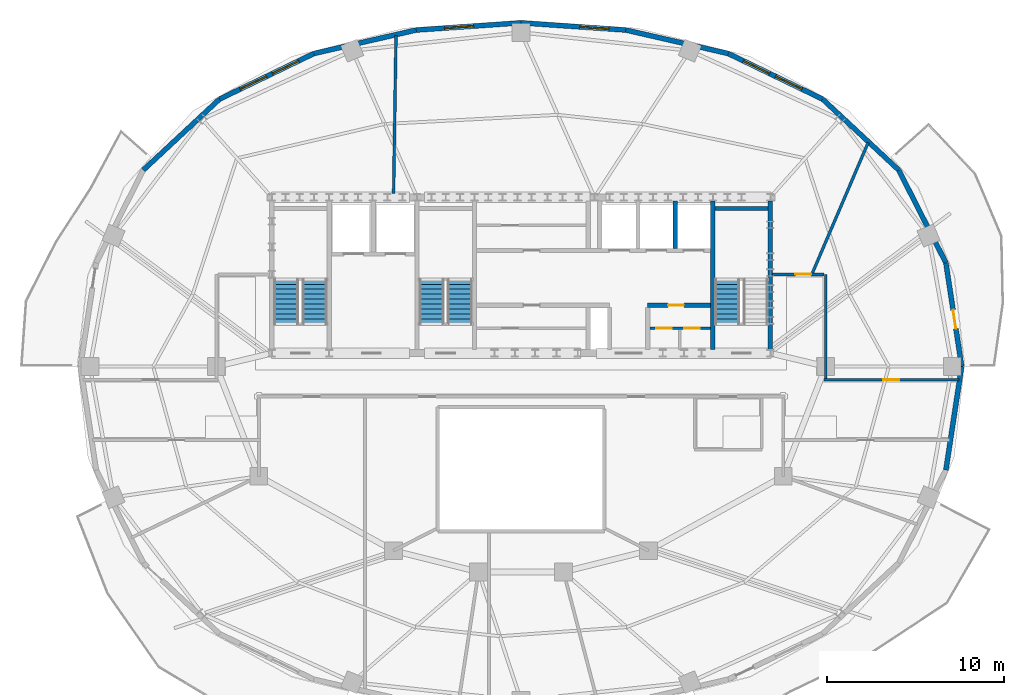
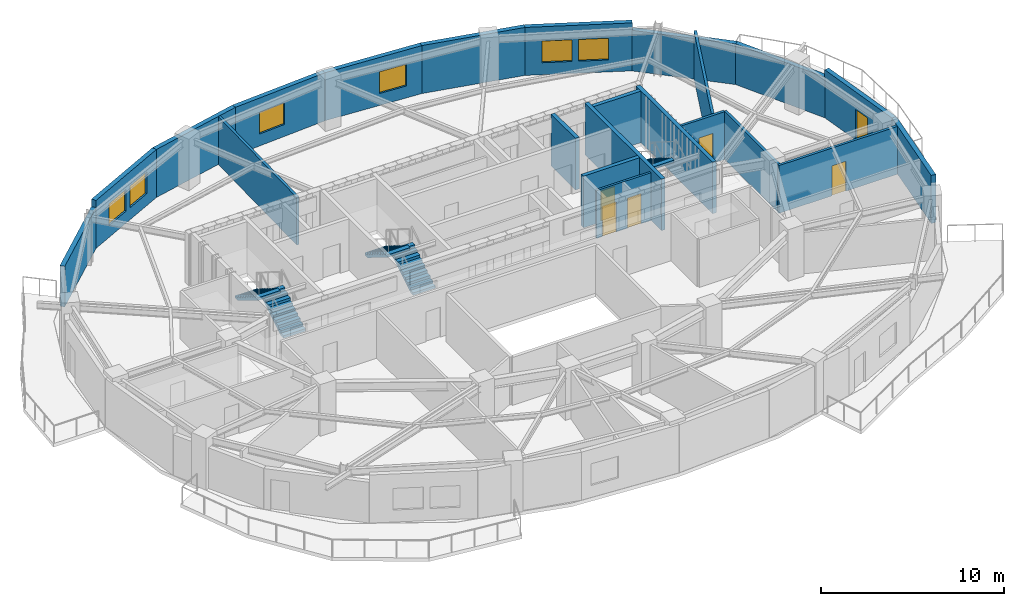
# One storey, part 5 of 10: 22 walls, 6 doors, 6 windows, 5 stair flights, 12 openings, 3 elements without a shape of their own.
"""IFC4 building model written with IfcOpenShell, lengths in metres."""

from ifc_helpers import new_model, si_unit, direction, frame, frame_2d, origin, place, context, subcontext, project, spatial, polyline, rectangle, outline, extrude, material, layer, layer_set, type_object, element, fill, aggregate, save


model = new_model("IFC4")

# Units and contexts
model_context = context("Model", 3, precision=1e-05, world=origin(), true_north=direction((0.0, 1.0)))
body_context = subcontext(model_context, "Body", "Model", "MODEL_VIEW")
ifc_project = project(units=[si_unit("LENGTHUNIT", "METRE"), si_unit("AREAUNIT", "SQUARE_METRE"), si_unit("VOLUMEUNIT", "CUBIC_METRE"), si_unit("PLANEANGLEUNIT", "RADIAN"), si_unit("MASSUNIT", "GRAM", prefix="KILO")], contexts=[model_context])

# Site, building, storey
site_placement = place(None, origin())
site = spatial("IfcSite", under=ifc_project, at=site_placement, CompositionType="ELEMENT")
building_placement = place(site_placement, origin())
building = spatial("IfcBuilding", under=site, at=building_placement, Name="Haldorwick Loom Tower", CompositionType="ELEMENT")
storey_placement = place(building_placement, frame((0.0, 0.0, 255.75)))
storey = spatial("IfcBuildingStorey", under=building, at=storey_placement, Name="L69", CompositionType="ELEMENT", Elevation=255.75)

# Wall, opening, door
ifc_material_1 = material(Name="Pressed Clay Face Brick and Insulated Masonry Backup Assembly", Category="masonry")
ifc_layer_1 = layer(ifc_material_1, 0.280029296875, Name="Pressed Clay Face Brick and Insulated Masonry Backup Assembly", Category="masonry")
ifc_layer_set_1 = layer_set([ifc_layer_1], Name="Pressed Clay Face Brick and Insulated Masonry Backup Assembly")
wall_type_1 = type_object("IfcWallType", Name="ARC-WL-EXT280", PredefinedType="STANDARD", material=ifc_layer_set_1)
wall_1_placement = place(storey_placement, frame((60.876708984375, 26.0, 0.0), z_axis=(0.0, 0.0, 1.0), x_axis=(-0.150497234153, 0.988610430105, 0.0)))
wall_1 = element("IfcWall", 1, at=wall_1_placement, inside=storey, type_object=wall_type_1, Name="L69 Brick Pier and Spandrel Wall 1", PredefinedType="STANDARD", context=body_context, shape_type="SweptSolid", body=[
    extrude(rectangle(XDim=5.916259765625, YDim=0.280029296875, at=frame_2d((2.9580078125, 0.0))), origin(), (0.0, 0.0, 1.0), 3.2099609375),
])
opening_1_placement = place(wall_1_placement, frame((2.147216796875, 0.0, 0.0)))
opening_1 = element("IfcOpeningElement", 2, at=opening_1_placement, cuts=wall_1, Name="Opening D-BL11", PredefinedType="OPENING", context=body_context, shape_type="SweptSolid", body=[
    extrude(rectangle(XDim=1.080078125, YDim=2.0400390625, at=frame_2d((0.5400390625, 1.02001953125))), frame((0.0, 0.14990234375, 0.0), z_axis=(0.0, -1.0, 0.0), x_axis=(1.0, 0.0, 0.0)), (0.0, 0.0, 1.0), 0.300048828125),
])
ifc_material_2 = material(Name="Thermally Broken Anodized Aluminium Curtain Wall Framing", Category="aluminium")
door_type_1 = type_object("IfcDoorType", Name="ARC-DR-BAL110", OperationType="NOTDEFINED", PredefinedType="DOOR", material=ifc_material_2)
door_1_placement = place(opening_1_placement, origin())
door_1 = element("IfcDoor", 3, at=door_1_placement, inside=storey, type_object=door_type_1, Name="L69 Outdoor Terrace Door SLB-L69-BAL_ENE", OperationType="SINGLE_SWING_RIGHT", OverallHeight=2.0400390625, OverallWidth=1.080078125, PredefinedType="DOOR", context=body_context, shape_type="SweptSolid", body=[
    extrude(rectangle(XDim=1.080078125, YDim=2.0400390625, at=frame_2d((0.5400390625, 1.02001953125))), frame((0.0, 0.02490234375, 0.0), z_axis=(0.0, -1.0, 0.0), x_axis=(1.0, 0.0, 0.0)), (0.0, 0.0, 1.0), 0.050048828125),
])
fill(opening_1, door_1)

# Walls
wall_2_placement = place(storey_placement, frame((59.986328125, 31.848876953125, 0.0), z_axis=(0.0, 0.0, 1.0), x_axis=(-0.453100705059, 0.89145933787, 0.0)))
element("IfcWall", 4, at=wall_2_placement, inside=storey, type_object=wall_type_1, Name="L69 Brick Pier and Spandrel Wall 2", PredefinedType="STANDARD", context=body_context, shape_type="SweptSolid", body=[
    extrude(rectangle(XDim=5.879150390625, YDim=0.280029296875, at=frame_2d((2.939453125, 0.0))), origin(), (0.0, 0.0, 1.0), 2.718994140625),
])
wall_3_placement = place(storey_placement, frame((57.322509765625, 37.08984375, 0.0), z_axis=(0.0, 0.0, 1.0), x_axis=(-0.731924682982, 0.68138554317, 0.0)))
element("IfcWall", 5, at=wall_3_placement, inside=storey, type_object=wall_type_1, Name="L69 Brick Pier and Spandrel Wall 3", PredefinedType="STANDARD", context=body_context, shape_type="SweptSolid", body=[
    extrude(rectangle(XDim=5.87890625, YDim=0.280029296875, at=frame_2d((2.939453125, 0.0))), origin(), (0.0, 0.0, 1.0), 2.718994140625),
])

# Wall, openings, windows
wall_4_placement = place(storey_placement, frame((53.01953125, 41.095703125, 0.0), z_axis=(0.0, 0.0, 1.0), x_axis=(-0.900481907967, 0.434893473651, 0.0)))
wall_4 = element("IfcWall", 6, at=wall_4_placement, inside=storey, type_object=wall_type_1, Name="L69 Brick Pier and Spandrel Wall 4", PredefinedType="STANDARD", context=body_context, shape_type="SweptSolid", body=[
    extrude(rectangle(XDim=5.90966796875, YDim=0.280029296875, at=frame_2d((2.954833984375, 0.0))), origin(), (0.0, 0.0, 1.0), 3.2099609375),
])
opening_2_placement = place(wall_4_placement, frame((1.29443359375, 0.0, 0.800048828125)))
opening_2 = element("IfcOpeningElement", 7, at=opening_2_placement, cuts=wall_4, Name="Opening W-01B", PredefinedType="OPENING", context=body_context, shape_type="SweptSolid", body=[
    extrude(rectangle(XDim=1.64990234375, YDim=1.449951171875, at=frame_2d((0.824951171875, 0.72509765625))), frame((0.0, 0.14990234375, 0.0), z_axis=(0.0, -1.0, 0.0), x_axis=(1.0, 0.0, 0.0)), (0.0, 0.0, 1.0), 0.300048828125),
])
opening_3_placement = place(wall_4_placement, frame((3.311767578125, 0.0, 0.800048828125)))
opening_3 = element("IfcOpeningElement", 8, at=opening_3_placement, cuts=wall_4, Name="Opening W-01B", PredefinedType="OPENING", context=body_context, shape_type="SweptSolid", body=[
    extrude(rectangle(XDim=1.64990234375, YDim=1.449951171875, at=frame_2d((0.824951171875, 0.72509765625))), frame((0.0, 0.14990234375, 0.0), z_axis=(0.0, -1.0, 0.0), x_axis=(1.0, 0.0, 0.0)), (0.0, 0.0, 1.0), 0.300048828125),
])
ifc_material_3 = material(Name="Triple-Glazed Low-E Argon Insulated Glazing Unit", Category="glass")
window_type = type_object("IfcWindowType", Name="ARC-WIN-W165", PartitioningType="SINGLE_PANEL", PredefinedType="WINDOW", material=ifc_material_3)
window_1_placement = place(opening_2_placement, origin())
window_1 = element("IfcWindow", 9, at=window_1_placement, inside=storey, type_object=window_type, Name="L69 Deep-Set Zone 7A Window 4", OverallHeight=1.449951171875, OverallWidth=1.64990234375, PartitioningType="SINGLE_PANEL", PredefinedType="WINDOW", context=body_context, shape_type="SweptSolid", body=[
    extrude(rectangle(XDim=1.64990234375, YDim=1.449951171875, at=frame_2d((0.824951171875, 0.72509765625))), frame((0.0, 0.030029296875, 0.0), z_axis=(0.0, -1.0, 0.0), x_axis=(1.0, 0.0, 0.0)), (0.0, 0.0, 1.0), 0.06005859375),
])
fill(opening_2, window_1)
window_2_placement = place(opening_3_placement, origin())
window_2 = element("IfcWindow", 10, at=window_2_placement, inside=storey, type_object=window_type, Name="L69 Deep-Set Zone 7A Window 4", OverallHeight=1.449951171875, OverallWidth=1.64990234375, PartitioningType="SINGLE_PANEL", PredefinedType="WINDOW", context=body_context, shape_type="SweptSolid", body=[
    extrude(rectangle(XDim=1.64990234375, YDim=1.449951171875, at=frame_2d((0.824951171875, 0.72509765625))), frame((0.0, 0.030029296875, 0.0), z_axis=(0.0, -1.0, 0.0), x_axis=(1.0, 0.0, 0.0)), (0.0, 0.0, 1.0), 0.06005859375),
])
fill(opening_3, window_2)

# Wall
wall_5_placement = place(storey_placement, frame((47.697998046875, 43.665771484375, 0.0), z_axis=(0.0, 0.0, 1.0), x_axis=(-0.974589984037, 0.223996345987, 0.0)))
element("IfcWall", 11, at=wall_5_placement, inside=storey, type_object=wall_type_1, Name="L69 Brick Pier and Spandrel Wall 5", PredefinedType="STANDARD", context=body_context, shape_type="SweptSolid", body=[
    extrude(rectangle(XDim=5.92919921875, YDim=0.280029296875, at=frame_2d((2.964599609375, 0.0))), origin(), (0.0, 0.0, 1.0), 3.2099609375),
])

# Wall, opening, window
wall_6_placement = place(storey_placement, frame((41.91943359375, 44.993896484375, 0.0), z_axis=(0.0, 0.0, 1.0), x_axis=(-0.997656066566, 0.068427865986, 0.0)))
wall_6 = element("IfcWall", 12, at=wall_6_placement, inside=storey, type_object=wall_type_1, Name="L69 Brick Pier and Spandrel Wall 6", PredefinedType="STANDARD", context=body_context, shape_type="SweptSolid", body=[
    extrude(rectangle(XDim=5.933349609375, YDim=0.280029296875, at=frame_2d((2.966796875, 0.0))), origin(), (0.0, 0.0, 1.0), 3.2099609375),
])
opening_4_placement = place(wall_6_placement, frame((0.955078125, 0.0, 0.800048828125)))
opening_4 = element("IfcOpeningElement", 13, at=opening_4_placement, cuts=wall_6, Name="Opening W-01B", PredefinedType="OPENING", context=body_context, shape_type="SweptSolid", body=[
    extrude(rectangle(XDim=1.64990234375, YDim=1.449951171875, at=frame_2d((0.824951171875, 0.72509765625))), frame((0.0, 0.14990234375, 0.0), z_axis=(0.0, -1.0, 0.0), x_axis=(1.0, 0.0, 0.0)), (0.0, 0.0, 1.0), 0.300048828125),
])
window_3_placement = place(opening_4_placement, origin())
window_3 = element("IfcWindow", 14, at=window_3_placement, inside=storey, type_object=window_type, Name="L69 Deep-Set Zone 7A Window 6", OverallHeight=1.449951171875, OverallWidth=1.64990234375, PartitioningType="SINGLE_PANEL", PredefinedType="WINDOW", context=body_context, shape_type="SweptSolid", body=[
    extrude(rectangle(XDim=1.64990234375, YDim=1.449951171875, at=frame_2d((0.824951171875, 0.72509765625))), frame((0.0, 0.030029296875, 0.0), z_axis=(0.0, -1.0, 0.0), x_axis=(1.0, 0.0, 0.0)), (0.0, 0.0, 1.0), 0.06005859375),
])
fill(opening_4, window_3)

wall_7_placement = place(storey_placement, frame((36.0, 45.39990234375, 0.0), z_axis=(0.0, 0.0, 1.0), x_axis=(-0.997656066566, -0.068427865986, 0.0)))
wall_7 = element("IfcWall", 15, at=wall_7_placement, inside=storey, type_object=wall_type_1, Name="L69 Brick Pier and Spandrel Wall 7", PredefinedType="STANDARD", context=body_context, shape_type="SweptSolid", body=[
    extrude(rectangle(XDim=5.933349609375, YDim=0.280029296875, at=frame_2d((2.966796875, 0.0))), origin(), (0.0, 0.0, 1.0), 3.2099609375),
])
opening_5_placement = place(wall_7_placement, frame((2.68212890625, 0.0, 0.800048828125)))
opening_5 = element("IfcOpeningElement", 16, at=opening_5_placement, cuts=wall_7, Name="Opening W-01B", PredefinedType="OPENING", context=body_context, shape_type="SweptSolid", body=[
    extrude(rectangle(XDim=1.64990234375, YDim=1.449951171875, at=frame_2d((0.824951171875, 0.72509765625))), frame((0.0, 0.14990234375, 0.0), z_axis=(0.0, -1.0, 0.0), x_axis=(1.0, 0.0, 0.0)), (0.0, 0.0, 1.0), 0.300048828125),
])
window_4_placement = place(opening_5_placement, origin())
window_4 = element("IfcWindow", 17, at=window_4_placement, inside=storey, type_object=window_type, Name="L69 Deep-Set Zone 7A Window 7", OverallHeight=1.449951171875, OverallWidth=1.64990234375, PartitioningType="SINGLE_PANEL", PredefinedType="WINDOW", context=body_context, shape_type="SweptSolid", body=[
    extrude(rectangle(XDim=1.64990234375, YDim=1.449951171875, at=frame_2d((0.824951171875, 0.72509765625))), frame((0.0, 0.030029296875, 0.0), z_axis=(0.0, -1.0, 0.0), x_axis=(1.0, 0.0, 0.0)), (0.0, 0.0, 1.0), 0.06005859375),
])
fill(opening_5, window_4)

# Wall
wall_8_placement = place(storey_placement, frame((30.08056640625, 44.993896484375, 0.0), z_axis=(0.0, 0.0, 1.0), x_axis=(-0.974589984037, -0.223996345987, 0.0)))
element("IfcWall", 18, at=wall_8_placement, inside=storey, type_object=wall_type_1, Name="L69 Brick Pier and Spandrel Wall 8", PredefinedType="STANDARD", context=body_context, shape_type="SweptSolid", body=[
    extrude(rectangle(XDim=5.92919921875, YDim=0.280029296875, at=frame_2d((2.964599609375, 0.0))), origin(), (0.0, 0.0, 1.0), 3.2099609375),
])

# Wall, openings, windows
wall_9_placement = place(storey_placement, frame((24.302001953125, 43.665771484375, 0.0), z_axis=(0.0, 0.0, 1.0), x_axis=(-0.900481907967, -0.434893473651, 0.0)))
wall_9 = element("IfcWall", 19, at=wall_9_placement, inside=storey, type_object=wall_type_1, Name="L69 Brick Pier and Spandrel Wall 9", PredefinedType="STANDARD", context=body_context, shape_type="SweptSolid", body=[
    extrude(rectangle(XDim=5.90966796875, YDim=0.280029296875, at=frame_2d((2.954833984375, 0.0))), origin(), (0.0, 0.0, 1.0), 3.2099609375),
])
opening_6_placement = place(wall_9_placement, frame((0.947998046875, 0.0, 0.800048828125)))
opening_6 = element("IfcOpeningElement", 20, at=opening_6_placement, cuts=wall_9, Name="Opening W-01B", PredefinedType="OPENING", context=body_context, shape_type="SweptSolid", body=[
    extrude(rectangle(XDim=1.64990234375, YDim=1.449951171875, at=frame_2d((0.824951171875, 0.72509765625))), frame((0.0, 0.14990234375, 0.0), z_axis=(0.0, -1.0, 0.0), x_axis=(1.0, 0.0, 0.0)), (0.0, 0.0, 1.0), 0.300048828125),
])
opening_7_placement = place(wall_9_placement, frame((2.965087890625, 0.0, 0.800048828125)))
opening_7 = element("IfcOpeningElement", 21, at=opening_7_placement, cuts=wall_9, Name="Opening W-01B", PredefinedType="OPENING", context=body_context, shape_type="SweptSolid", body=[
    extrude(rectangle(XDim=1.64990234375, YDim=1.449951171875, at=frame_2d((0.824951171875, 0.72509765625))), frame((0.0, 0.14990234375, 0.0), z_axis=(0.0, -1.0, 0.0), x_axis=(1.0, 0.0, 0.0)), (0.0, 0.0, 1.0), 0.300048828125),
])
window_5_placement = place(opening_6_placement, origin())
window_5 = element("IfcWindow", 22, at=window_5_placement, inside=storey, type_object=window_type, Name="L69 Deep-Set Zone 7A Window 9", OverallHeight=1.449951171875, OverallWidth=1.64990234375, PartitioningType="SINGLE_PANEL", PredefinedType="WINDOW", context=body_context, shape_type="SweptSolid", body=[
    extrude(rectangle(XDim=1.64990234375, YDim=1.449951171875, at=frame_2d((0.824951171875, 0.72509765625))), frame((0.0, 0.030029296875, 0.0), z_axis=(0.0, -1.0, 0.0), x_axis=(1.0, 0.0, 0.0)), (0.0, 0.0, 1.0), 0.06005859375),
])
fill(opening_6, window_5)
window_6_placement = place(opening_7_placement, origin())
window_6 = element("IfcWindow", 23, at=window_6_placement, inside=storey, type_object=window_type, Name="L69 Deep-Set Zone 7A Window 9", OverallHeight=1.449951171875, OverallWidth=1.64990234375, PartitioningType="SINGLE_PANEL", PredefinedType="WINDOW", context=body_context, shape_type="SweptSolid", body=[
    extrude(rectangle(XDim=1.64990234375, YDim=1.449951171875, at=frame_2d((0.824951171875, 0.72509765625))), frame((0.0, 0.030029296875, 0.0), z_axis=(0.0, -1.0, 0.0), x_axis=(1.0, 0.0, 0.0)), (0.0, 0.0, 1.0), 0.06005859375),
])
fill(opening_7, window_6)

# Walls
wall_10_placement = place(storey_placement, frame((18.98046875, 41.095703125, 0.0), z_axis=(0.0, 0.0, 1.0), x_axis=(-0.731924682982, -0.68138554317, 0.0)))
element("IfcWall", 24, at=wall_10_placement, inside=storey, type_object=wall_type_1, Name="L69 Brick Pier and Spandrel Wall 10", PredefinedType="STANDARD", context=body_context, shape_type="SweptSolid", body=[
    extrude(rectangle(XDim=5.87890625, YDim=0.280029296875, at=frame_2d((2.939453125, 0.0))), origin(), (0.0, 0.0, 1.0), 2.718994140625),
])
wall_11_placement = place(storey_placement, frame((59.986328125, 20.151123046875, 0.0), z_axis=(0.0, 0.0, 1.0), x_axis=(0.150497234153, 0.988610430105, 0.0)))
element("IfcWall", 25, at=wall_11_placement, inside=storey, type_object=wall_type_1, Name="L69 Brick Pier and Spandrel Wall 24", PredefinedType="STANDARD", context=body_context, shape_type="SweptSolid", body=[
    extrude(rectangle(XDim=5.916259765625, YDim=0.280029296875, at=frame_2d((2.9580078125, 0.0))), origin(), (0.0, 0.0, 1.0), 3.2099609375),
])

# Wall, opening, door
ifc_material_4 = material(Name="Fire-Rated Type X Gypsum Stud Assembly EI 60")
ifc_layer_2 = layer(ifc_material_4, 0.159912109375, Name="Fire-Rated Type X Gypsum Stud Assembly EI 60")
ifc_layer_set_2 = layer_set([ifc_layer_2], Name="Fire-Rated Type X Gypsum Stud Assembly EI 60")
wall_type_2 = type_object("IfcWallType", Name="ARC-WL-FIRE160", PredefinedType="PARTITIONING", material=ifc_layer_set_2)
wall_12_placement = place(storey_placement, frame((53.10009765625, 25.25, 0.0), z_axis=(0.0, 0.0, 1.0), x_axis=(1.0, 0.0, 0.0)))
wall_12 = element("IfcWall", 26, at=wall_12_placement, inside=storey, type_object=wall_type_2, Name="L69 Residential Fire Partition L69-CR-NEL", PredefinedType="PARTITIONING", context=body_context, shape_type="SweptSolid", body=[
    extrude(rectangle(XDim=7.616943359375, YDim=0.159912109375, at=frame_2d((3.80859375, 0.0))), origin(), (0.0, 0.0, 1.0), 3.195068359375),
])
opening_8_placement = place(wall_12_placement, frame((3.3583984375, 0.0, 0.0)))
opening_8 = element("IfcOpeningElement", 27, at=opening_8_placement, cuts=wall_12, Name="Opening D-FD60A", PredefinedType="OPENING", context=body_context, shape_type="SweptSolid", body=[
    extrude(rectangle(XDim=0.89990234375, YDim=2.0, at=frame_2d((0.449951171875, 1.0))), frame((0.0, 0.08984375, 0.0), z_axis=(0.0, -1.0, 0.0), x_axis=(1.0, 0.0, 0.0)), (0.0, 0.0, 1.0), 0.179931640625),
])
ifc_material_5 = material(Name="Hollow Steel Fire Door Assembly", Category="steel")
door_type_2 = type_object("IfcDoorType", Name="ARC-DR-FD60-90", OperationType="NOTDEFINED", PredefinedType="DOOR", material=ifc_material_5)
door_2_placement = place(opening_8_placement, frame((0.89990234375, 0.0, 0.0), z_axis=(0.0, 0.0, 1.0), x_axis=(-1.0, 0.0, 0.0)))
door_2 = element("IfcDoor", 28, at=door_2_placement, inside=storey, type_object=door_type_2, Name="L69 Tenant Seminar Meeting Room 3 to L69 Central Residential Corridor Do", OperationType="SINGLE_SWING_RIGHT", OverallHeight=2.0, OverallWidth=0.89990234375, PredefinedType="DOOR", context=body_context, shape_type="SweptSolid", body=[
    extrude(rectangle(XDim=0.89990234375, YDim=2.0, at=frame_2d((0.449951171875, 1.0))), frame((0.0, 0.02490234375, 0.0), z_axis=(0.0, -1.0, 0.0), x_axis=(1.0, 0.0, 0.0)), (0.0, 0.0, 1.0), 0.050048828125),
])
fill(opening_8, door_2)

# Wall
wall_13_placement = place(storey_placement, frame((53.199951171875, 25.3330078125, 0.0), z_axis=(0.0, 0.0, 1.0), x_axis=(0.0, 1.0, 0.0)))
element("IfcWall", 29, at=wall_13_placement, inside=storey, type_object=wall_type_2, Name="L69 Residential Fire Partition L69-CR-E0", PredefinedType="PARTITIONING", context=body_context, shape_type="SweptSolid", body=[
    extrude(rectangle(XDim=5.866943359375, YDim=0.159912109375, at=frame_2d((2.93359375, 0.0))), origin(), (0.0, 0.0, 1.0), 3.195068359375),
])

# Wall, opening, door
wall_14_placement = place(storey_placement, frame((50.193115234375, 31.199951171875, 0.0), z_axis=(0.0, 0.0, 1.0), x_axis=(1.0, 0.0, 0.0)))
wall_14 = element("IfcWall", 30, at=wall_14_placement, inside=storey, type_object=wall_type_2, Name="L69 Residential Fire Partition L69-CR-ENJ", PredefinedType="PARTITIONING", context=body_context, shape_type="SweptSolid", body=[
    extrude(rectangle(XDim=2.923828125, YDim=0.159912109375, at=frame_2d((1.4619140625, 0.0))), origin(), (0.0, 0.0, 1.0), 3.195068359375),
])
opening_9_placement = place(wall_14_placement, frame((1.29150390625, 0.0, 0.0)))
opening_9 = element("IfcOpeningElement", 31, at=opening_9_placement, cuts=wall_14, Name="Opening D-FD60A", PredefinedType="OPENING", context=body_context, shape_type="SweptSolid", body=[
    extrude(rectangle(XDim=0.89990234375, YDim=2.0, at=frame_2d((0.449951171875, 1.0))), frame((0.0, 0.08984375, 0.0), z_axis=(0.0, -1.0, 0.0), x_axis=(1.0, 0.0, 0.0)), (0.0, 0.0, 1.0), 0.179931640625),
])
door_3_placement = place(opening_9_placement, frame((0.89990234375, 0.0, 0.0), z_axis=(0.0, 0.0, 1.0), x_axis=(-1.0, 0.0, 0.0)))
door_3 = element("IfcDoor", 32, at=door_3_placement, inside=storey, type_object=door_type_2, Name="L69 Tenant Seminar Meeting Room 8 to L69 Central Residential Corridor Do", OperationType="SINGLE_SWING_LEFT", OverallHeight=2.0, OverallWidth=0.89990234375, PredefinedType="DOOR", context=body_context, shape_type="SweptSolid", body=[
    extrude(rectangle(XDim=0.89990234375, YDim=2.0, at=frame_2d((0.449951171875, 1.0))), frame((0.0, 0.02490234375, 0.0), z_axis=(0.0, -1.0, 0.0), x_axis=(1.0, 0.0, 0.0)), (0.0, 0.0, 1.0), 0.050048828125),
])
fill(opening_9, door_3)

# Walls
wall_15_placement = place(storey_placement, frame((28.8046875, 35.7529296875, 0.0), z_axis=(0.0, 0.0, 1.0), x_axis=(0.015248711969, 0.999883731632, 0.0)))
element("IfcWall", 33, at=wall_15_placement, inside=storey, type_object=wall_type_2, Name="L69 Residential Fire Partition L69-UPN-C3", PredefinedType="PARTITIONING", context=body_context, shape_type="SweptSolid", body=[
    extrude(rectangle(XDim=8.933837890625, YDim=0.159912109375, at=frame_2d((4.466796875, 0.0))), origin(), (0.0, 0.0, 1.0), 3.195068359375),
])
wall_16_placement = place(storey_placement, frame((55.5966796875, 38.63525390625, 0.0), z_axis=(0.0, 0.0, 1.0), x_axis=(-0.393134263541, -0.919481076929, 0.0)))
element("IfcWall", 34, at=wall_16_placement, inside=storey, type_object=wall_type_2, Name="L69 Suite Split Wall", PredefinedType="PARTITIONING", context=body_context, shape_type="SweptSolid", body=[
    extrude(rectangle(XDim=7.99609375, YDim=0.159912109375, at=frame_2d((3.998046875, 0.0))), origin(), (0.0, 0.0, 1.0), 3.195068359375),
])

# Wall, openings, doors
ifc_layer_3 = layer(ifc_material_4, 0.139892578125, Name="Fire-Rated Type X Gypsum Stud Assembly EI 60")
ifc_layer_set_3 = layer_set([ifc_layer_3], Name="Fire-Rated Type X Gypsum Stud Assembly EI 60")
wall_type_3 = type_object("IfcWallType", Name="ARC-WL-PART140", PredefinedType="PARTITIONING", material=ifc_layer_set_3)
wall_17_placement = place(storey_placement, frame((43.27294921875, 28.159912109375, 0.0), z_axis=(0.0, 0.0, 1.0), x_axis=(1.0, 0.0, 0.0)))
wall_17 = element("IfcWall", 35, at=wall_17_placement, inside=storey, type_object=wall_type_3, Name="L69 Telecom Partition", PredefinedType="PARTITIONING", context=body_context, shape_type="SweptSolid", body=[
    extrude(rectangle(XDim=3.43408203125, YDim=0.139892578125, at=frame_2d((1.717041015625, 0.0))), origin(), (0.0, 0.0, 1.0), 3.195068359375),
])
opening_10_placement = place(wall_17_placement, frame((0.366943359375, 0.0, 0.0)))
opening_10 = element("IfcOpeningElement", 36, at=opening_10_placement, cuts=wall_17, Name="Opening D-BT88", PredefinedType="OPENING", context=body_context, shape_type="SweptSolid", body=[
    extrude(rectangle(XDim=0.8798828125, YDim=2.02001953125, at=frame_2d((0.43994140625, 1.010009765625))), frame((0.0, 0.079833984375, 0.0), z_axis=(0.0, -1.0, 0.0), x_axis=(1.0, 0.0, 0.0)), (0.0, 0.0, 1.0), 0.159912109375),
])
opening_11_placement = place(wall_17_placement, frame((1.93701171875, 0.0, 0.0)))
opening_11 = element("IfcOpeningElement", 37, at=opening_11_placement, cuts=wall_17, Name="Opening D-BT88", PredefinedType="OPENING", context=body_context, shape_type="SweptSolid", body=[
    extrude(rectangle(XDim=0.8798828125, YDim=2.02001953125, at=frame_2d((0.43994140625, 1.010009765625))), frame((0.0, 0.079833984375, 0.0), z_axis=(0.0, -1.0, 0.0), x_axis=(1.0, 0.0, 0.0)), (0.0, 0.0, 1.0), 0.159912109375),
])
ifc_material_6 = material(Name="Solid Core Birch Architectural Door")
door_type_3 = type_object("IfcDoorType", Name="ARC-DR-BATH88", OperationType="NOTDEFINED", PredefinedType="DOOR", material=ifc_material_6)
door_4_placement = place(opening_10_placement, origin())
door_4 = element("IfcDoor", 38, at=door_4_placement, inside=storey, type_object=door_type_3, Name="L69 Telecom Room Door", OperationType="SINGLE_SWING_LEFT", OverallHeight=2.02001953125, OverallWidth=0.8798828125, PredefinedType="DOOR", context=body_context, shape_type="SweptSolid", body=[
    extrude(rectangle(XDim=0.8798828125, YDim=2.02001953125, at=frame_2d((0.43994140625, 1.010009765625))), frame((0.0, 0.02490234375, 0.0), z_axis=(0.0, -1.0, 0.0), x_axis=(1.0, 0.0, 0.0)), (0.0, 0.0, 1.0), 0.050048828125),
])
fill(opening_10, door_4)
door_5_placement = place(opening_11_placement, origin())
door_5 = element("IfcDoor", 39, at=door_5_placement, inside=storey, type_object=door_type_3, Name="L69 Metering Closet Door", OperationType="SINGLE_SWING_RIGHT", OverallHeight=2.02001953125, OverallWidth=0.8798828125, PredefinedType="DOOR", context=body_context, shape_type="SweptSolid", body=[
    extrude(rectangle(XDim=0.8798828125, YDim=2.02001953125, at=frame_2d((0.43994140625, 1.010009765625))), frame((0.0, 0.02490234375, 0.0), z_axis=(0.0, -1.0, 0.0), x_axis=(1.0, 0.0, 0.0)), (0.0, 0.0, 1.0), 0.050048828125),
])
fill(opening_11, door_5)

# Walls
ifc_material_7 = material(Name="Concrete C50 (50 MPa)", Category="concrete")
ifc_layer_4 = layer(ifc_material_7, 0.239990234375, Name="Concrete C50 (50 MPa)", Category="concrete")
ifc_layer_set_4 = layer_set([ifc_layer_4], Name="Concrete C50 (50 MPa)")
wall_type_4 = type_object("IfcWallType", Name="STR-WL-SHAFT240", PredefinedType="SHEAR", material=ifc_layer_set_4)
for number, where, z_axis, x_axis, name in (
    (40, (50.070068359375, 26.952880859375, 0.0), (0.0, 0.0, 1.0), (0.0, 1.0, 0.0), "L69 Core Shear Wall E"),
    (41, (46.830078125, 26.952880859375, 0.0), (0.0, 0.0, 1.0), (0.0, 1.0, 0.0), "L69 Core Shear Wall 4"),
):
    element("IfcWall", number, at=place(storey_placement, frame(where, z_axis=z_axis, x_axis=x_axis)), inside=storey, type_object=wall_type_4, Name=name, PredefinedType="SHEAR", context=body_context, shape_type="SweptSolid", body=[
        extrude(rectangle(XDim=8.39404296875, YDim=0.239990234375, at=frame_2d((4.197021484375, 0.0))), origin(), (0.0, 0.0, 1.0), 3.449951171875),
    ])
wall_18_placement = place(storey_placement, frame((46.952880859375, 34.919921875, 0.0), z_axis=(0.0, 0.0, 1.0), x_axis=(1.0, 0.0, 0.0)))
element("IfcWall", 42, at=wall_18_placement, inside=storey, type_object=wall_type_4, Name="L69 Core Shear Wall 4N", PredefinedType="SHEAR", context=body_context, shape_type="SweptSolid", body=[
    extrude(rectangle(XDim=2.994140625, YDim=0.239990234375, at=frame_2d((1.4970703125, 0.0))), origin(), (0.0, 0.0, 1.0), 3.449951171875),
])

# Wall, opening, door
wall_19_placement = place(storey_placement, frame((43.14990234375, 29.449951171875, 0.0), z_axis=(0.0, 0.0, 1.0), x_axis=(1.0, 0.0, 0.0)))
wall_19 = element("IfcWall", 43, at=wall_19_placement, inside=storey, type_object=wall_type_4, Name="L69 Core Shear Wall LS2", PredefinedType="SHEAR", context=body_context, shape_type="SweptSolid", body=[
    extrude(rectangle(XDim=3.55712890625, YDim=0.239990234375, at=frame_2d((1.778564453125, 0.0))), origin(), (0.0, 0.0, 1.0), 3.449951171875),
])
opening_12_placement = place(wall_19_placement, frame((1.14990234375, 0.0, 0.0)))
opening_12 = element("IfcOpeningElement", 44, at=opening_12_placement, cuts=wall_19, Name="Opening D-FD60A", PredefinedType="OPENING", context=body_context, shape_type="SweptSolid", body=[
    extrude(rectangle(XDim=0.89990234375, YDim=2.0, at=frame_2d((0.449951171875, 1.0))), frame((0.0, 0.1298828125, 0.0), z_axis=(0.0, -1.0, 0.0), x_axis=(1.0, 0.0, 0.0)), (0.0, 0.0, 1.0), 0.260009765625),
])
door_6_placement = place(opening_12_placement, origin())
door_6 = element("IfcDoor", 45, at=door_6_placement, inside=storey, type_object=door_type_2, Name="L69 Janitor Closet Door", OperationType="SINGLE_SWING_LEFT", OverallHeight=2.0, OverallWidth=0.89990234375, PredefinedType="DOOR", context=body_context, shape_type="SweptSolid", body=[
    extrude(rectangle(XDim=0.89990234375, YDim=2.0, at=frame_2d((0.449951171875, 1.0))), frame((0.0, 0.02490234375, 0.0), z_axis=(0.0, -1.0, 0.0), x_axis=(1.0, 0.0, 0.0)), (0.0, 0.0, 1.0), 0.050048828125),
])
fill(opening_12, door_6)

# Wall
wall_20_placement = place(storey_placement, frame((44.699951171875, 32.673095703125, 0.0), z_axis=(0.0, 0.0, 1.0), x_axis=(0.0, 1.0, 0.0)))
element("IfcWall", 46, at=wall_20_placement, inside=storey, type_object=wall_type_4, Name="L69 Core Shear Wall H2", PredefinedType="SHEAR", context=body_context, shape_type="SweptSolid", body=[
    extrude(rectangle(XDim=2.673828125, YDim=0.239990234375, at=frame_2d((1.3369140625, 0.0))), origin(), (0.0, 0.0, 1.0), 3.449951171875),
])

# Stair, stair flights
ifc_material_8 = material(Name="Concrete C40 (40 MPa)", Category="concrete")
stair_type = type_object("IfcStairType", Name="STR-STR-CORE", PredefinedType="HALF_TURN_STAIR", material=ifc_material_8)
stair_1_placement = place(storey_placement, origin())
stair_1 = element("IfcStair", 47, at=stair_1_placement, inside=storey, type_object=stair_type, Name="L69 Exit Stair ST-01", PredefinedType="HALF_TURN_STAIR")
stair_flight_type = type_object("IfcStairFlightType", Name="STR-STF-1250", PredefinedType="STRAIGHT", material=ifc_material_8)
stair_flight_1_placement = place(storey_placement, frame((24.35009765625, 28.39990234375, 0.0), z_axis=(0.0, 0.0, 1.0), x_axis=(0.0, 1.0, 0.0)))
stair_flight_1 = element("IfcStairFlight", 48, at=stair_flight_1_placement, type_object=stair_flight_type, Name="ST-01 flight 1", NumberOfRisers=10, NumberOfTreads=9, PredefinedType="STRAIGHT", RiserHeight=0.1725, TreadLength=0.28, context=body_context, shape_type="SweptSolid", body=[
    extrude(outline(polyline([(0.0, 0.0), (0.0, 0.172607421875), (0.280029296875, 0.172607421875), (0.280029296875, 0.344970703125), (0.56005859375, 0.344970703125), (0.56005859375, 0.517578125), (0.840087890625, 0.517578125), (0.840087890625, 0.68994140625), (1.1201171875, 0.68994140625), (1.1201171875, 0.862548828125), (1.39990234375, 0.862548828125), (1.39990234375, 1.034912109375), (1.679931640625, 1.034912109375), (1.679931640625, 1.20751953125), (1.9599609375, 1.20751953125), (1.9599609375, 1.3798828125), (2.239990234375, 1.3798828125), (2.239990234375, 1.552490234375), (2.52001953125, 1.552490234375), (2.52001953125, 1.72509765625), (2.52001953125, 1.37646484375), (0.285888671875, 0.0), (0.0, 0.0)])), frame((0.0, 0.699951171875, 0.0), z_axis=(0.0, -1.0, 0.0), x_axis=(1.0, 0.0, 0.0)), (0.0, 0.0, 1.0), 1.39990234375),
])
stair_flight_2_placement = place(storey_placement, frame((22.75, 30.919921875, 1.72509765625), z_axis=(0.0, 0.0, 1.0), x_axis=(0.0, -1.0, 0.0)))
stair_flight_2 = element("IfcStairFlight", 49, at=stair_flight_2_placement, type_object=stair_flight_type, Name="ST-01 flight 2", NumberOfRisers=10, NumberOfTreads=9, PredefinedType="STRAIGHT", RiserHeight=0.1725, TreadLength=0.28, context=body_context, shape_type="SweptSolid", body=[
    extrude(outline(polyline([(0.0, 0.0), (0.0, 0.172607421875), (0.280029296875, 0.172607421875), (0.280029296875, 0.344970703125), (0.56005859375, 0.344970703125), (0.56005859375, 0.517578125), (0.840087890625, 0.517578125), (0.840087890625, 0.68994140625), (1.1201171875, 0.68994140625), (1.1201171875, 0.862548828125), (1.39990234375, 0.862548828125), (1.39990234375, 1.034912109375), (1.679931640625, 1.034912109375), (1.679931640625, 1.20751953125), (1.9599609375, 1.20751953125), (1.9599609375, 1.3798828125), (2.239990234375, 1.3798828125), (2.239990234375, 1.552490234375), (2.52001953125, 1.552490234375), (2.52001953125, 1.72509765625), (2.52001953125, 1.37646484375), (0.285888671875, 0.0), (0.0, 0.0)])), frame((0.0, 0.699951171875, 0.0), z_axis=(0.0, -1.0, 0.0), x_axis=(1.0, 0.0, 0.0)), (0.0, 0.0, 1.0), 1.39990234375),
])
aggregate(stair_1, [stair_flight_1, stair_flight_2])

# Stair, stair flight
stair_2_placement = place(storey_placement, origin())
stair_2 = element("IfcStair", 50, at=stair_2_placement, inside=storey, type_object=stair_type, Name="L69 Exit Stair ST-02", PredefinedType="HALF_TURN_STAIR")
stair_flight_3_placement = place(storey_placement, frame((47.64990234375, 30.919921875, 1.72509765625), z_axis=(0.0, 0.0, 1.0), x_axis=(0.0, -1.0, 0.0)))
stair_flight_3 = element("IfcStairFlight", 51, at=stair_flight_3_placement, type_object=stair_flight_type, Name="ST-02 flight 2", NumberOfRisers=10, NumberOfTreads=9, PredefinedType="STRAIGHT", RiserHeight=0.1725, TreadLength=0.28, context=body_context, shape_type="SweptSolid", body=[
    extrude(outline(polyline([(0.0, 0.0), (0.0, 0.172607421875), (0.280029296875, 0.172607421875), (0.280029296875, 0.344970703125), (0.56005859375, 0.344970703125), (0.56005859375, 0.517578125), (0.840087890625, 0.517578125), (0.840087890625, 0.68994140625), (1.1201171875, 0.68994140625), (1.1201171875, 0.862548828125), (1.39990234375, 0.862548828125), (1.39990234375, 1.034912109375), (1.679931640625, 1.034912109375), (1.679931640625, 1.20751953125), (1.9599609375, 1.20751953125), (1.9599609375, 1.3798828125), (2.239990234375, 1.3798828125), (2.239990234375, 1.552490234375), (2.52001953125, 1.552490234375), (2.52001953125, 1.72509765625), (2.52001953125, 1.37646484375), (0.285888671875, 0.0), (0.0, 0.0)])), frame((0.0, 0.699951171875, 0.0), z_axis=(0.0, -1.0, 0.0), x_axis=(1.0, 0.0, 0.0)), (0.0, 0.0, 1.0), 1.39990234375),
])
aggregate(stair_2, [stair_flight_3])

# Stair, stair flights
stair_3_placement = place(storey_placement, origin())
stair_3 = element("IfcStair", 52, at=stair_3_placement, inside=storey, type_object=stair_type, Name="L69 Exit Stair ST-03", PredefinedType="HALF_TURN_STAIR")
stair_flight_4_placement = place(storey_placement, frame((32.550048828125, 28.39990234375, 0.0), z_axis=(0.0, 0.0, 1.0), x_axis=(0.0, 1.0, 0.0)))
stair_flight_4 = element("IfcStairFlight", 53, at=stair_flight_4_placement, type_object=stair_flight_type, Name="ST-03 flight 1", NumberOfRisers=10, NumberOfTreads=9, PredefinedType="STRAIGHT", RiserHeight=0.1725, TreadLength=0.28, context=body_context, shape_type="SweptSolid", body=[
    extrude(outline(polyline([(0.0, 0.0), (0.0, 0.172607421875), (0.280029296875, 0.172607421875), (0.280029296875, 0.344970703125), (0.56005859375, 0.344970703125), (0.56005859375, 0.517578125), (0.840087890625, 0.517578125), (0.840087890625, 0.68994140625), (1.1201171875, 0.68994140625), (1.1201171875, 0.862548828125), (1.39990234375, 0.862548828125), (1.39990234375, 1.034912109375), (1.679931640625, 1.034912109375), (1.679931640625, 1.20751953125), (1.9599609375, 1.20751953125), (1.9599609375, 1.3798828125), (2.239990234375, 1.3798828125), (2.239990234375, 1.552490234375), (2.52001953125, 1.552490234375), (2.52001953125, 1.72509765625), (2.52001953125, 1.37646484375), (0.285888671875, 0.0), (0.0, 0.0)])), frame((0.0, 0.699951171875, 0.0), z_axis=(0.0, -1.0, 0.0), x_axis=(1.0, 0.0, 0.0)), (0.0, 0.0, 1.0), 1.39990234375),
])
stair_flight_5_placement = place(storey_placement, frame((30.949951171875, 30.919921875, 1.72509765625), z_axis=(0.0, 0.0, 1.0), x_axis=(0.0, -1.0, 0.0)))
stair_flight_5 = element("IfcStairFlight", 54, at=stair_flight_5_placement, type_object=stair_flight_type, Name="ST-03 flight 2", NumberOfRisers=10, NumberOfTreads=9, PredefinedType="STRAIGHT", RiserHeight=0.1725, TreadLength=0.28, context=body_context, shape_type="SweptSolid", body=[
    extrude(outline(polyline([(0.0, 0.0), (0.0, 0.172607421875), (0.280029296875, 0.172607421875), (0.280029296875, 0.344970703125), (0.56005859375, 0.344970703125), (0.56005859375, 0.517578125), (0.840087890625, 0.517578125), (0.840087890625, 0.68994140625), (1.1201171875, 0.68994140625), (1.1201171875, 0.862548828125), (1.39990234375, 0.862548828125), (1.39990234375, 1.034912109375), (1.679931640625, 1.034912109375), (1.679931640625, 1.20751953125), (1.9599609375, 1.20751953125), (1.9599609375, 1.3798828125), (2.239990234375, 1.3798828125), (2.239990234375, 1.552490234375), (2.52001953125, 1.552490234375), (2.52001953125, 1.72509765625), (2.52001953125, 1.37646484375), (0.285888671875, 0.0), (0.0, 0.0)])), frame((0.0, 0.699951171875, 0.0), z_axis=(0.0, -1.0, 0.0), x_axis=(1.0, 0.0, 0.0)), (0.0, 0.0, 1.0), 1.39990234375),
])
aggregate(stair_3, [stair_flight_4, stair_flight_5])

save(model, "model.ifc")
